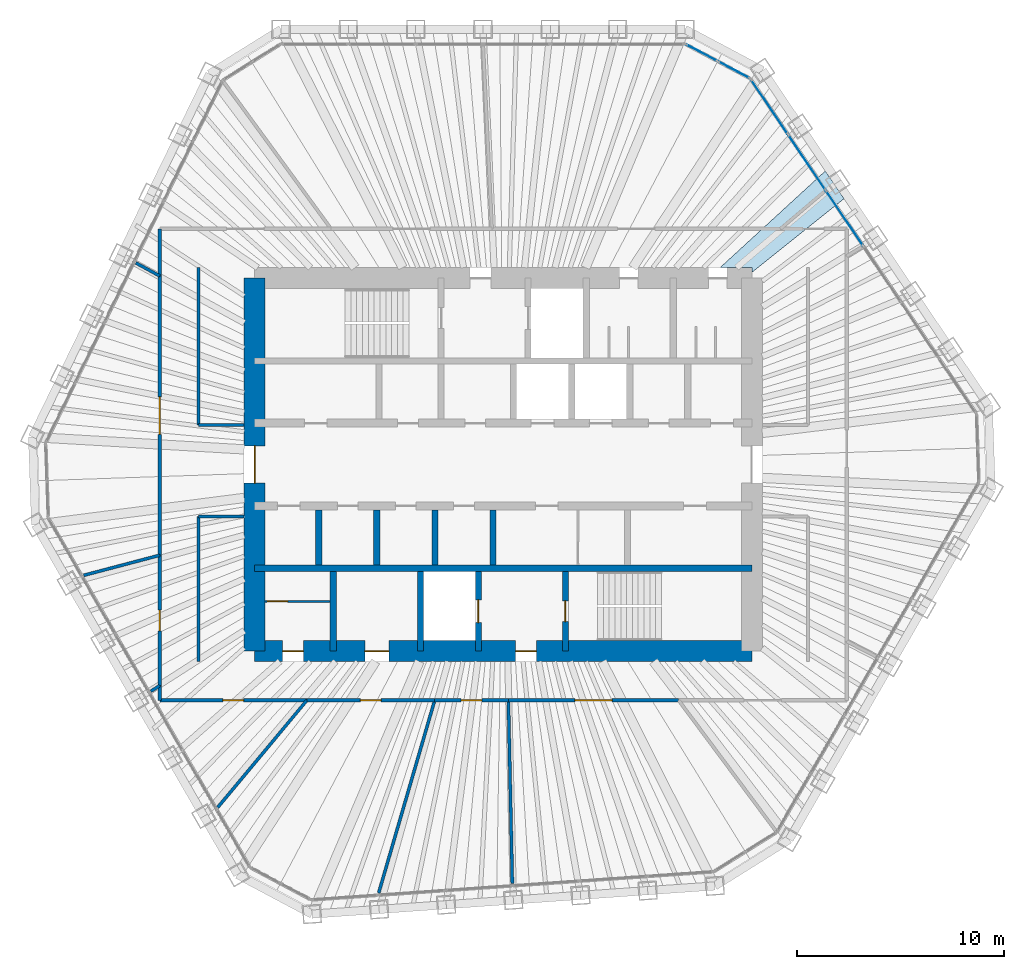
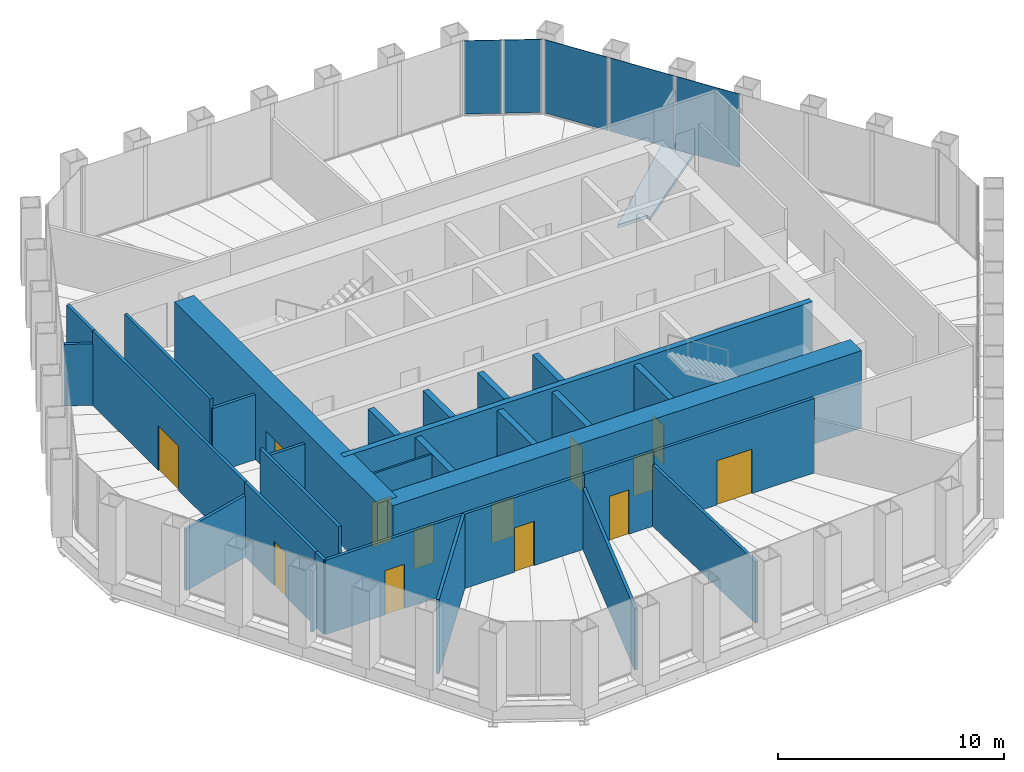
# One storey, part 11 of 14: 30 walls, 13 doors, 5 plates, 1 slab, 13 openings, 2 elements without a shape of their own.
"""IFC4 building model written with IfcOpenShell, lengths in metres."""

from ifc_helpers import new_model, si_unit, direction, frame, frame_2d, origin, origin_2d, place, context, subcontext, project, spatial, polyline, rectangle, outline, extrude, material, layer, layer_set, type_object, element, fill, aggregate, save


model = new_model("IFC4")

# Units and contexts
model_context = context("Model", 3, precision=1e-05, world=origin(), true_north=direction((0.0, 1.0)))
body_context = subcontext(model_context, "Body", "Model", "MODEL_VIEW")
ifc_project = project(units=[si_unit("LENGTHUNIT", "METRE"), si_unit("AREAUNIT", "SQUARE_METRE"), si_unit("VOLUMEUNIT", "CUBIC_METRE"), si_unit("PLANEANGLEUNIT", "RADIAN"), si_unit("MASSUNIT", "GRAM", prefix="KILO")], contexts=[model_context])

# Site, building, storey
site_placement = place(None, origin())
site = spatial("IfcSite", under=ifc_project, at=site_placement, CompositionType="ELEMENT")
building_placement = place(site_placement, origin())
building = spatial("IfcBuilding", under=site, at=building_placement, Name="Qingtian Harvest Tower", CompositionType="ELEMENT")
storey_placement = place(building_placement, frame((0.0, 0.0, 291.39990234375)))
storey = spatial("IfcBuildingStorey", under=building, at=storey_placement, Name="L64", CompositionType="ELEMENT", Elevation=291.39990234375)

# Slab
ifc_material_1 = material(Name="Concrete fc' 35 MPa", Category="concrete")
ifc_layer_1 = layer(ifc_material_1, 0.169921875)
ifc_layer_set_1 = layer_set([ifc_layer_1], Name="Composite floor slab FS17 170")
slab_type = type_object("IfcSlabType", Name="Composite floor slab FS17 170", PredefinedType="FLOOR", material=ifc_layer_set_1)
slab_placement = place(storey_placement, frame((0.0, 0.0, -0.169921875)))
element("IfcSlab", 1, at=slab_placement, inside=storey, type_object=slab_type, Name="Floor slab L64 panel D48", PredefinedType="FLOOR", context=body_context, shape_type="SweptSolid", body=[
    extrude(outline(polyline([(12.0, 9.5), (10.4599609375, 9.5), (15.541259765625, 14.16455078125), (16.44189453125, 12.829345703125), (12.0, 9.2734375), (12.0, 9.5)])), origin(), (0.0, 0.0, 1.0), 0.169921875),
])

# Curtain wall, plates
ifc_material_2 = material(Name="Bronze-anodised aluminium curtain wall", Category="aluminium")
curtain_wall_type = type_object("IfcCurtainWallType", Name="Curtain wall CW5 upper office", PredefinedType="USERDEFINED", material=ifc_material_2)
curtain_wall_1_placement = place(storey_placement, origin())
curtain_wall_1 = element("IfcCurtainWall", 2, at=curtain_wall_1_placement, inside=storey, type_object=curtain_wall_type, Name="Curtain wall CW5 L64 NC", ObjectType="RECESSED CURTAIN WALL", PredefinedType="USERDEFINED")
ifc_material_3 = material(Name="Bronze-tinted laminated insulating glass", Category="glass")
ifc_layer_2 = layer(ifc_material_3, 0.030029296875)
ifc_layer_set_2 = layer_set([ifc_layer_2], Name="Glazed panel CWP tinted IGU")
plate_type = type_object("IfcPlateType", Name="Glazed panel CWP tinted IGU", PredefinedType="CURTAIN_PANEL", material=ifc_layer_set_2)
plate_1_placement = place(storey_placement, frame((9.57080078125, 19.8720703125, 0.06494140625), z_axis=(0.0, 0.0, 1.0), x_axis=(0.882947592859, -0.469471562786, 0.0)))
plate_1 = element("IfcPlate", 3, at=plate_1_placement, type_object=plate_type, Name="CW5 panel 1.1", PredefinedType="CURTAIN_PANEL", context=body_context, shape_type="SweptSolid", body=[
    extrude(rectangle(XDim=1.69287109375, YDim=0.030029296875, at=origin_2d()), origin(), (0.0, 0.0, 1.0), 3.965087890625),
])
plate_2_placement = place(storey_placement, frame((11.122802734375, 19.046875, 0.06494140625), z_axis=(0.0, 0.0, 1.0), x_axis=(0.882947592859, -0.469471562786, 0.0)))
plate_2 = element("IfcPlate", 4, at=plate_2_placement, type_object=plate_type, Name="CW5 panel 2.1", PredefinedType="CURTAIN_PANEL", context=body_context, shape_type="SweptSolid", body=[
    extrude(rectangle(XDim=1.69287109375, YDim=0.030029296875, at=origin_2d()), origin(), (0.0, 0.0, 1.0), 3.965087890625),
])
aggregate(curtain_wall_1, [plate_1, plate_2])

curtain_wall_2_placement = place(storey_placement, origin())
curtain_wall_2 = element("IfcCurtainWall", 5, at=curtain_wall_2_placement, inside=storey, type_object=curtain_wall_type, Name="Curtain wall CW5 L64 NE0-5", ObjectType="RECESSED CURTAIN WALL", PredefinedType="USERDEFINED")
plate_3_placement = place(storey_placement, frame((12.844970703125, 17.259033203125, 0.06494140625), z_axis=(0.0, 0.0, 1.0), x_axis=(0.559192903471, -0.829037572555, 0.0)))
plate_3 = element("IfcPlate", 6, at=plate_3_placement, type_object=plate_type, Name="CW5 panel 1.1", PredefinedType="CURTAIN_PANEL", context=body_context, shape_type="SweptSolid", body=[
    extrude(rectangle(XDim=3.150634765625, YDim=0.030029296875, at=origin_2d()), origin(), (0.0, 0.0, 1.0), 3.965087890625),
])
plate_4_placement = place(storey_placement, frame((14.652099609375, 14.579833984375, 0.06494140625), z_axis=(0.0, 0.0, 1.0), x_axis=(0.559192903471, -0.829037572555, 0.0)))
plate_4 = element("IfcPlate", 7, at=plate_4_placement, type_object=plate_type, Name="CW5 panel 2.1", PredefinedType="CURTAIN_PANEL", context=body_context, shape_type="SweptSolid", body=[
    extrude(rectangle(XDim=3.18310546875, YDim=0.030029296875, at=origin_2d()), origin(), (0.0, 0.0, 1.0), 3.965087890625),
])
plate_5_placement = place(storey_placement, frame((16.46826171875, 11.886962890625, 0.06494140625), z_axis=(0.0, 0.0, 1.0), x_axis=(0.559192903471, -0.829037572555, 0.0)))
plate_5 = element("IfcPlate", 8, at=plate_5_placement, type_object=plate_type, Name="CW5 panel 3.1", PredefinedType="CURTAIN_PANEL", context=body_context, shape_type="SweptSolid", body=[
    extrude(rectangle(XDim=3.18310546875, YDim=0.030029296875, at=origin_2d()), origin(), (0.0, 0.0, 1.0), 3.965087890625),
])
aggregate(curtain_wall_2, [plate_3, plate_4, plate_5])

# Walls
ifc_material_4 = material(Name="Concrete fc' 70 MPa", Category="concrete")
ifc_layer_3 = layer(ifc_material_4, 0.300048828125)
ifc_layer_set_3 = layer_set([ifc_layer_3], Name="Core inner wall RC5 300")
wall_type_1 = type_object("IfcWallType", Name="Core inner wall RC5 300", PredefinedType="SHEAR", material=ifc_layer_set_3)
wall_1_placement = place(storey_placement, frame((-12.0, -5.0, 0.0), z_axis=(0.0, 0.0, 1.0), x_axis=(1.0, 0.0, 0.0)))
element("IfcWall", 9, at=wall_1_placement, inside=storey, type_object=wall_type_1, Name="Core wall IS5 L64", PredefinedType="SHEAR", context=body_context, shape_type="SweptSolid", body=[
    extrude(rectangle(XDim=24.0, YDim=0.300048828125, at=frame_2d((12.0, 0.0))), origin(), (0.0, 0.0, 1.0), 4.2001953125),
])
ifc_material_5 = material(Name="Precast concrete shaft panel", Category="concrete")
ifc_layer_4 = layer(ifc_material_5, 0.300048828125)
ifc_layer_set_4 = layer_set([ifc_layer_4], Name="Core shaft partition SW1 300")
wall_type_2 = type_object("IfcWallType", Name="Core shaft partition SW1 300", PredefinedType="PARTITIONING", material=ifc_layer_set_4)
for number, where, z_axis, x_axis, name in (
    (10, (-8.89990234375, -4.85009765625, 0.0), (0.0, 0.0, 1.0), (0.0, 1.0, 0.0), "Core shaft partition XB1 L64"),
    (11, (-6.10009765625, -4.85009765625, 0.0), (0.0, 0.0, 1.0), (0.0, 1.0, 0.0), "Core shaft partition XB2 L64"),
    (12, (-3.300048828125, -4.85009765625, 0.0), (0.0, 0.0, 1.0), (0.0, 1.0, 0.0), "Core shaft partition XB3 L64"),
    (13, (-0.5, -4.85009765625, 0.0), (0.0, 0.0, 1.0), (0.0, 1.0, 0.0), "Core shaft partition XB4 L64"),
):
    element("IfcWall", number, at=place(storey_placement, frame(where, z_axis=z_axis, x_axis=x_axis)), inside=storey, type_object=wall_type_2, Name=name, PredefinedType="PARTITIONING", context=body_context, shape_type="SweptSolid", body=[
        extrude(rectangle(XDim=2.650146484375, YDim=0.300048828125, at=frame_2d((1.3251953125, 0.0))), origin(), (0.0, 0.0, 1.0), 3.97998046875),
    ])
for number, where, z_axis, x_axis, name in (
    (14, (-8.199951171875, -9.0, 0.0), (0.0, 0.0, 1.0), (0.0, 1.0, 0.0), "Core shaft partition XS1 L64"),
    (15, (-4.0, -9.0, 0.0), (0.0, 0.0, 1.0), (0.0, 1.0, 0.0), "Core shaft partition XS2 L64"),
):
    element("IfcWall", number, at=place(storey_placement, frame(where, z_axis=z_axis, x_axis=x_axis)), inside=storey, type_object=wall_type_2, Name=name, PredefinedType="PARTITIONING", context=body_context, shape_type="SweptSolid", body=[
        extrude(rectangle(XDim=3.85009765625, YDim=0.300048828125, at=frame_2d((1.925048828125, 0.0))), origin(), (0.0, 0.0, 1.0), 3.97998046875),
    ])

# Wall, opening, door
wall_2_placement = place(storey_placement, frame((-1.199951171875, -9.0, 0.0), z_axis=(0.0, 0.0, 1.0), x_axis=(0.0, 1.0, 0.0)))
wall_2 = element("IfcWall", 16, at=wall_2_placement, inside=storey, type_object=wall_type_2, Name="Core shaft partition XS3 L64", PredefinedType="PARTITIONING", context=body_context, shape_type="SweptSolid", body=[
    extrude(rectangle(XDim=3.85009765625, YDim=0.300048828125, at=frame_2d((1.925048828125, 0.0))), origin(), (0.0, 0.0, 1.0), 3.97998046875),
])
opening_1_placement = place(wall_2_placement, frame((1.375, 0.0, 0.0)))
opening_1 = element("IfcOpeningElement", 17, at=opening_1_placement, cuts=wall_2, Name="Opening LD1", PredefinedType="OPENING", context=body_context, shape_type="SweptSolid", body=[
    extrude(rectangle(XDim=1.10009765625, YDim=2.39990234375, at=frame_2d((0.550048828125, 1.199951171875))), frame((0.0, 0.159912109375, 0.0), z_axis=(0.0, -1.0, 0.0), x_axis=(1.0, 0.0, 0.0)), (0.0, 0.0, 1.0), 0.320068359375),
])
ifc_material_6 = material(Name="Stainless steel lift landing door", Category="steel")
door_type_1 = type_object("IfcDoorType", Name="Lift landing door LD1 1 HR", OperationType="DOUBLE_DOOR_SLIDING", PredefinedType="DOOR", material=ifc_material_6)
door_1_placement = place(opening_1_placement, origin())
door_1 = element("IfcDoor", 18, at=door_1_placement, inside=storey, type_object=door_type_1, Name="FL2 landing door L64", OperationType="DOUBLE_DOOR_SLIDING", OverallHeight=2.39990234375, OverallWidth=1.10009765625, PredefinedType="DOOR", context=body_context, shape_type="SweptSolid", body=[
    extrude(rectangle(XDim=1.10009765625, YDim=2.39990234375, at=frame_2d((0.550048828125, 1.199951171875))), frame((0.0, 0.02490234375, 0.0), z_axis=(0.0, -1.0, 0.0), x_axis=(1.0, 0.0, 0.0)), (0.0, 0.0, 1.0), 0.050048828125),
])
fill(opening_1, door_1)

wall_3_placement = place(storey_placement, frame((3.0, -9.0, 0.0), z_axis=(0.0, 0.0, 1.0), x_axis=(0.0, 1.0, 0.0)))
wall_3 = element("IfcWall", 19, at=wall_3_placement, inside=storey, type_object=wall_type_2, Name="Core shaft partition XS4 L64", PredefinedType="PARTITIONING", context=body_context, shape_type="SweptSolid", body=[
    extrude(rectangle(XDim=3.85009765625, YDim=0.300048828125, at=frame_2d((1.925048828125, 0.0))), origin(), (0.0, 0.0, 1.0), 3.97998046875),
])
opening_2_placement = place(wall_3_placement, frame((1.425048828125, 0.0, 0.0)))
opening_2 = element("IfcOpeningElement", 20, at=opening_2_placement, cuts=wall_3, Name="Opening FD1", PredefinedType="OPENING", context=body_context, shape_type="SweptSolid", body=[
    extrude(rectangle(XDim=1.0, YDim=2.10009765625, at=frame_2d((0.5, 1.050048828125))), frame((0.0, 0.159912109375, 0.0), z_axis=(0.0, -1.0, 0.0), x_axis=(1.0, 0.0, 0.0)), (0.0, 0.0, 1.0), 0.320068359375),
])
ifc_material_7 = material(Name="Steel-faced door leaf", Category="steel")
door_type_2 = type_object("IfcDoorType", Name="Fire door FD1 single 1 HR", OperationType="SINGLE_SWING_LEFT", PredefinedType="DOOR", material=ifc_material_7)
door_2_placement = place(opening_2_placement, origin())
door_2 = element("IfcDoor", 21, at=door_2_placement, inside=storey, type_object=door_type_2, Name="S2 door L64", OperationType="SINGLE_SWING_RIGHT", OverallHeight=2.10009765625, OverallWidth=1.0, PredefinedType="DOOR", context=body_context, shape_type="SweptSolid", body=[
    extrude(rectangle(XDim=1.0, YDim=2.10009765625, at=frame_2d((0.5, 1.050048828125))), frame((0.0, 0.02490234375, 0.0), z_axis=(0.0, -1.0, 0.0), x_axis=(1.0, 0.0, 0.0)), (0.0, 0.0, 1.0), 0.050048828125),
])
fill(opening_2, door_2)

# Wall, openings, doors
ifc_material_8 = material(Name="Concrete fc' 70 MPa", Category="concrete")
ifc_layer_5 = layer(ifc_material_8, 1.0)
ifc_layer_set_5 = layer_set([ifc_layer_5], Name="Core wall RC3 1000")
wall_type_3 = type_object("IfcWallType", Name="Core wall RC3 1000", PredefinedType="SHEAR", material=ifc_layer_set_5)
wall_4_placement = place(storey_placement, frame((-12.0, -9.0, 0.0), z_axis=(0.0, 0.0, 1.0), x_axis=(1.0, 0.0, 0.0)))
wall_4 = element("IfcWall", 22, at=wall_4_placement, inside=storey, type_object=wall_type_3, Name="Core wall CS L64", PredefinedType="SHEAR", context=body_context, shape_type="SweptSolid", body=[
    extrude(rectangle(XDim=24.0, YDim=1.0, at=frame_2d((12.0, 0.0))), origin(), (0.0, 0.0, 1.0), 4.2001953125),
])
opening_3_placement = place(wall_4_placement, frame((1.35009765625, 0.0, 0.0)))
opening_3 = element("IfcOpeningElement", 23, at=opening_3_placement, cuts=wall_4, Name="Opening FD1", PredefinedType="OPENING", context=body_context, shape_type="SweptSolid", body=[
    extrude(rectangle(XDim=1.0, YDim=2.10009765625, at=frame_2d((0.5, 1.050048828125))), frame((0.0, 0.510009765625, 0.0), z_axis=(0.0, -1.0, 0.0), x_axis=(1.0, 0.0, 0.0)), (0.0, 0.0, 1.0), 1.02001953125),
])
opening_4_placement = place(wall_4_placement, frame((5.324951171875, 0.0, 0.0)))
opening_4 = element("IfcOpeningElement", 24, at=opening_4_placement, cuts=wall_4, Name="Opening AD1", PredefinedType="OPENING", context=body_context, shape_type="SweptSolid", body=[
    extrude(rectangle(XDim=1.14990234375, YDim=2.10009765625, at=frame_2d((0.574951171875, 1.050048828125))), frame((0.0, 0.510009765625, 0.0), z_axis=(0.0, -1.0, 0.0), x_axis=(1.0, 0.0, 0.0)), (0.0, 0.0, 1.0), 1.02001953125),
])
opening_5_placement = place(wall_4_placement, frame((12.60009765625, 0.0, 0.0)))
opening_5 = element("IfcOpeningElement", 25, at=opening_5_placement, cuts=wall_4, Name="Opening FD1", PredefinedType="OPENING", context=body_context, shape_type="SweptSolid", body=[
    extrude(rectangle(XDim=1.0, YDim=2.10009765625, at=frame_2d((0.5, 1.050048828125))), frame((0.0, 0.510009765625, 0.0), z_axis=(0.0, -1.0, 0.0), x_axis=(1.0, 0.0, 0.0)), (0.0, 0.0, 1.0), 1.02001953125),
])
ifc_material_9 = material(Name="Laminated timber door leaf", Category="wood")
door_type_3 = type_object("IfcDoorType", Name="Accessible WC door AD1 single", OperationType="SINGLE_SWING_LEFT", PredefinedType="DOOR", material=ifc_material_9)
door_3_placement = place(opening_4_placement, origin())
door_3 = element("IfcDoor", 26, at=door_3_placement, inside=storey, type_object=door_type_3, Name="AWC door L64", OperationType="SINGLE_SWING_LEFT", OverallHeight=2.10009765625, OverallWidth=1.14990234375, PredefinedType="DOOR", context=body_context, shape_type="SweptSolid", body=[
    extrude(rectangle(XDim=1.14990234375, YDim=2.10009765625, at=frame_2d((0.574951171875, 1.050048828125))), frame((0.0, 0.02490234375, 0.0), z_axis=(0.0, -1.0, 0.0), x_axis=(1.0, 0.0, 0.0)), (0.0, 0.0, 1.0), 0.050048828125),
])
fill(opening_4, door_3)
door_4_placement = place(opening_3_placement, origin())
door_4 = element("IfcDoor", 27, at=door_4_placement, inside=storey, type_object=door_type_2, Name="CLN door L64", OperationType="SINGLE_SWING_RIGHT", OverallHeight=2.10009765625, OverallWidth=1.0, PredefinedType="DOOR", context=body_context, shape_type="SweptSolid", body=[
    extrude(rectangle(XDim=1.0, YDim=2.10009765625, at=frame_2d((0.5, 1.050048828125))), frame((0.0, 0.02490234375, 0.0), z_axis=(0.0, -1.0, 0.0), x_axis=(1.0, 0.0, 0.0)), (0.0, 0.0, 1.0), 0.050048828125),
])
fill(opening_3, door_4)
door_5_placement = place(opening_5_placement, origin())
door_5 = element("IfcDoor", 28, at=door_5_placement, inside=storey, type_object=door_type_2, Name="V2 door L64", OperationType="SINGLE_SWING_LEFT", OverallHeight=2.10009765625, OverallWidth=1.0, PredefinedType="DOOR", context=body_context, shape_type="SweptSolid", body=[
    extrude(rectangle(XDim=1.0, YDim=2.10009765625, at=frame_2d((0.5, 1.050048828125))), frame((0.0, 0.02490234375, 0.0), z_axis=(0.0, -1.0, 0.0), x_axis=(1.0, 0.0, 0.0)), (0.0, 0.0, 1.0), 0.050048828125),
])
fill(opening_5, door_5)

# Wall, opening, door
wall_5_placement = place(storey_placement, frame((-12.0, -9.0, 0.0), z_axis=(0.0, 0.0, 1.0), x_axis=(0.0, 1.0, 0.0)))
wall_5 = element("IfcWall", 29, at=wall_5_placement, inside=storey, type_object=wall_type_3, Name="Core wall CW L64", PredefinedType="SHEAR", context=body_context, shape_type="SweptSolid", body=[
    extrude(rectangle(XDim=18.0, YDim=1.0, at=frame_2d((9.0, 0.0))), origin(), (0.0, 0.0, 1.0), 4.2001953125),
])
opening_6_placement = place(wall_5_placement, frame((8.10009765625, 0.0, 0.0)))
opening_6 = element("IfcOpeningElement", 30, at=opening_6_placement, cuts=wall_5, Name="Opening FD2", PredefinedType="OPENING", context=body_context, shape_type="SweptSolid", body=[
    extrude(rectangle(XDim=1.800048828125, YDim=2.10009765625, at=frame_2d((0.89990234375, 1.050048828125))), frame((0.0, 0.510009765625, 0.0), z_axis=(0.0, -1.0, 0.0), x_axis=(1.0, 0.0, 0.0)), (0.0, 0.0, 1.0), 1.02001953125),
])
ifc_material_10 = material(Name="Steel-faced door leaf", Category="steel")
door_type_4 = type_object("IfcDoorType", Name="Fire door FD2 double 1 HR", OperationType="DOUBLE_DOOR_DOUBLE_SWING", PredefinedType="DOOR", material=ifc_material_10)
door_6_placement = place(opening_6_placement, origin())
door_6 = element("IfcDoor", 31, at=door_6_placement, inside=storey, type_object=door_type_4, Name="LOBBY-W door L64", OperationType="DOUBLE_DOOR_DOUBLE_SWING", OverallHeight=2.10009765625, OverallWidth=1.800048828125, PredefinedType="DOOR", context=body_context, shape_type="SweptSolid", body=[
    extrude(rectangle(XDim=1.800048828125, YDim=2.10009765625, at=frame_2d((0.89990234375, 1.050048828125))), frame((0.0, 0.02490234375, 0.0), z_axis=(0.0, -1.0, 0.0), x_axis=(1.0, 0.0, 0.0)), (0.0, 0.0, 1.0), 0.050048828125),
])
fill(opening_6, door_6)

# Walls
ifc_material_11 = material(Name="Gypsum board on steel studs", Category="steel")
ifc_layer_6 = layer(ifc_material_11, 0.14990234375)
ifc_layer_set_6 = layer_set([ifc_layer_6], Name="Partition PT1 150")
wall_type_4 = type_object("IfcWallType", Name="Partition PT1 150", PredefinedType="PARTITIONING", material=ifc_layer_set_6)
wall_6_placement = place(storey_placement, frame((-17.72900390625, 9.72998046875, 0.0), z_axis=(0.0, 0.0, 1.0), x_axis=(0.87667364743, -0.481085559855, 0.0)))
element("IfcWall", 32, at=wall_6_placement, inside=storey, type_object=wall_type_4, Name="Workplace zone wall L64", PredefinedType="PARTITIONING", context=body_context, shape_type="SweptSolid", body=[
    extrude(rectangle(XDim=1.31640625, YDim=0.14990234375, at=frame_2d((0.658203125, 0.0))), origin(), (0.0, 0.0, 1.0), 3.330078125),
])
wall_7_placement = place(storey_placement, frame((-16.574951171875, 9.0966796875, 0.0), z_axis=(0.0, 0.0, 1.0), x_axis=(0.0, 1.0, 0.0)))
element("IfcWall", 33, at=wall_7_placement, inside=storey, type_object=wall_type_4, Name="Workplace zone wall L64", PredefinedType="PARTITIONING", context=body_context, shape_type="SweptSolid", body=[
    extrude(rectangle(XDim=2.2783203125, YDim=0.14990234375, at=frame_2d((1.13916015625, 0.0))), origin(), (0.0, 0.0, 1.0), 4.030029296875),
])

# Wall, opening, door
wall_8_placement = place(storey_placement, frame((8.46142578125, -11.375, 0.0), z_axis=(0.0, 0.0, 1.0), x_axis=(-1.0, 0.0, 0.0)))
wall_8 = element("IfcWall", 34, at=wall_8_placement, inside=storey, type_object=wall_type_4, Name="Workplace zone wall L64", PredefinedType="PARTITIONING", context=body_context, shape_type="SweptSolid", body=[
    extrude(rectangle(XDim=8.21484375, YDim=0.14990234375, at=frame_2d((4.107421875, 0.0))), origin(), (0.0, 0.0, 1.0), 4.030029296875),
])
opening_7_placement = place(wall_8_placement, frame((3.20751953125, 0.0, 0.0)))
opening_7 = element("IfcOpeningElement", 35, at=opening_7_placement, cuts=wall_8, Name="Opening D3", PredefinedType="OPENING", context=body_context, shape_type="SweptSolid", body=[
    extrude(rectangle(XDim=1.800048828125, YDim=2.39990234375, at=frame_2d((0.89990234375, 1.199951171875))), frame((0.0, 0.0849609375, 0.0), z_axis=(0.0, -1.0, 0.0), x_axis=(1.0, 0.0, 0.0)), (0.0, 0.0, 1.0), 0.169921875),
])
ifc_material_12 = material(Name="Laminated timber door leaf", Category="wood")
door_type_5 = type_object("IfcDoorType", Name="Room door D3 double", OperationType="DOUBLE_DOOR_DOUBLE_SWING", PredefinedType="DOOR", material=ifc_material_12)
door_7_placement = place(opening_7_placement, origin())
door_7 = element("IfcDoor", 36, at=door_7_placement, inside=storey, type_object=door_type_5, Name="Workplace zone door L64", OperationType="DOUBLE_DOOR_DOUBLE_SWING", OverallHeight=2.39990234375, OverallWidth=1.800048828125, PredefinedType="DOOR", context=body_context, shape_type="SweptSolid", body=[
    extrude(rectangle(XDim=1.800048828125, YDim=2.39990234375, at=frame_2d((0.89990234375, 1.199951171875))), frame((0.0, 0.02490234375, 0.0), z_axis=(0.0, -1.0, 0.0), x_axis=(1.0, 0.0, 0.0)), (0.0, 0.0, 1.0), 0.050048828125),
])
fill(opening_7, door_7)

# Wall
wall_9_placement = place(storey_placement, frame((0.43798828125, -20.21875, 0.0), z_axis=(0.0, 0.0, 1.0), x_axis=(-0.021638042243, 0.999765870156, 0.0)))
element("IfcWall", 37, at=wall_9_placement, inside=storey, type_object=wall_type_4, Name="Pantry wall L64", PredefinedType="PARTITIONING", context=body_context, shape_type="SweptSolid", body=[
    extrude(rectangle(XDim=8.845703125, YDim=0.14990234375, at=frame_2d((4.4228515625, 0.0))), origin(), (0.0, 0.0, 1.0), 3.330078125),
])

# Wall, opening, door
wall_10_placement = place(storey_placement, frame((0.24658203125, -11.375, 0.0), z_axis=(0.0, 0.0, 1.0), x_axis=(-1.0, 0.0, 0.0)))
wall_10 = element("IfcWall", 38, at=wall_10_placement, inside=storey, type_object=wall_type_4, Name="Pantry wall L64", PredefinedType="PARTITIONING", context=body_context, shape_type="SweptSolid", body=[
    extrude(rectangle(XDim=3.55419921875, YDim=0.14990234375, at=frame_2d((1.777099609375, 0.0))), origin(), (0.0, 0.0, 1.0), 4.030029296875),
])
opening_8_placement = place(wall_10_placement, frame((1.277099609375, 0.0, 0.0)))
opening_8 = element("IfcOpeningElement", 39, at=opening_8_placement, cuts=wall_10, Name="Opening D2", PredefinedType="OPENING", context=body_context, shape_type="SweptSolid", body=[
    extrude(rectangle(XDim=1.0, YDim=2.39990234375, at=frame_2d((0.5, 1.199951171875))), frame((0.0, 0.0849609375, 0.0), z_axis=(0.0, -1.0, 0.0), x_axis=(1.0, 0.0, 0.0)), (0.0, 0.0, 1.0), 0.169921875),
])
ifc_material_13 = material(Name="Laminated timber door leaf", Category="wood")
door_type_6 = type_object("IfcDoorType", Name="Room door D2 single", OperationType="SINGLE_SWING_LEFT", PredefinedType="DOOR", material=ifc_material_13)
door_8_placement = place(opening_8_placement, origin())
door_8 = element("IfcDoor", 40, at=door_8_placement, inside=storey, type_object=door_type_6, Name="Pantry door L64", OperationType="SINGLE_SWING_RIGHT", OverallHeight=2.39990234375, OverallWidth=1.0, PredefinedType="DOOR", context=body_context, shape_type="SweptSolid", body=[
    extrude(rectangle(XDim=1.0, YDim=2.39990234375, at=frame_2d((0.5, 1.199951171875))), frame((0.0, 0.02490234375, 0.0), z_axis=(0.0, -1.0, 0.0), x_axis=(1.0, 0.0, 0.0)), (0.0, 0.0, 1.0), 0.050048828125),
])
fill(opening_8, door_8)

# Wall
wall_11_placement = place(storey_placement, frame((-6.011962890625, -20.67578125, 0.0), z_axis=(0.0, 0.0, 1.0), x_axis=(0.279202358069, 0.960232286089, 0.0)))
element("IfcWall", 41, at=wall_11_placement, inside=storey, type_object=wall_type_4, Name="Focus room wall L64", PredefinedType="PARTITIONING", context=body_context, shape_type="SweptSolid", body=[
    extrude(rectangle(XDim=9.68603515625, YDim=0.14990234375, at=frame_2d((4.843017578125, 0.0))), origin(), (0.0, 0.0, 1.0), 3.330078125),
])

# Wall, opening, door
wall_12_placement = place(storey_placement, frame((-3.3076171875, -11.375, 0.0), z_axis=(0.0, 0.0, 1.0), x_axis=(-1.0, 0.0, 0.0)))
wall_12 = element("IfcWall", 42, at=wall_12_placement, inside=storey, type_object=wall_type_4, Name="Focus room wall L64", PredefinedType="PARTITIONING", context=body_context, shape_type="SweptSolid", body=[
    extrude(rectangle(XDim=6.165283203125, YDim=0.14990234375, at=frame_2d((3.08251953125, 0.0))), origin(), (0.0, 0.0, 1.0), 4.030029296875),
])
opening_9_placement = place(wall_12_placement, frame((2.582763671875, 0.0, 0.0)))
opening_9 = element("IfcOpeningElement", 43, at=opening_9_placement, cuts=wall_12, Name="Opening D2", PredefinedType="OPENING", context=body_context, shape_type="SweptSolid", body=[
    extrude(rectangle(XDim=1.0, YDim=2.39990234375, at=frame_2d((0.5, 1.199951171875))), frame((0.0, 0.0849609375, 0.0), z_axis=(0.0, -1.0, 0.0), x_axis=(1.0, 0.0, 0.0)), (0.0, 0.0, 1.0), 0.169921875),
])
door_9_placement = place(opening_9_placement, origin())
door_9 = element("IfcDoor", 44, at=door_9_placement, inside=storey, type_object=door_type_6, Name="Focus room door L64", OperationType="SINGLE_SWING_RIGHT", OverallHeight=2.39990234375, OverallWidth=1.0, PredefinedType="DOOR", context=body_context, shape_type="SweptSolid", body=[
    extrude(rectangle(XDim=1.0, YDim=2.39990234375, at=frame_2d((0.5, 1.199951171875))), frame((0.0, 0.02490234375, 0.0), z_axis=(0.0, -1.0, 0.0), x_axis=(1.0, 0.0, 0.0)), (0.0, 0.0, 1.0), 0.050048828125),
])
fill(opening_9, door_9)

# Wall
wall_13_placement = place(storey_placement, frame((-13.779296875, -16.546142578125, 0.0), z_axis=(0.0, 0.0, 1.0), x_axis=(0.63993100432, 0.768432371592, 0.0)))
element("IfcWall", 45, at=wall_13_placement, inside=storey, type_object=wall_type_4, Name="Print room wall L64", PredefinedType="PARTITIONING", context=body_context, shape_type="SweptSolid", body=[
    extrude(rectangle(XDim=6.7294921875, YDim=0.14990234375, at=frame_2d((3.36474609375, 0.0))), origin(), (0.0, 0.0, 1.0), 4.030029296875),
])

# Wall, opening, door
wall_14_placement = place(storey_placement, frame((-9.472900390625, -11.375, 0.0), z_axis=(0.0, 0.0, 1.0), x_axis=(-1.0, 0.0, 0.0)))
wall_14 = element("IfcWall", 46, at=wall_14_placement, inside=storey, type_object=wall_type_4, Name="Print room wall L64", PredefinedType="PARTITIONING", context=body_context, shape_type="SweptSolid", body=[
    extrude(rectangle(XDim=7.10205078125, YDim=0.14990234375, at=frame_2d((3.551025390625, 0.0))), origin(), (0.0, 0.0, 1.0), 4.030029296875),
])
opening_10_placement = place(wall_14_placement, frame((3.051025390625, 0.0, 0.0)))
opening_10 = element("IfcOpeningElement", 47, at=opening_10_placement, cuts=wall_14, Name="Opening D2", PredefinedType="OPENING", context=body_context, shape_type="SweptSolid", body=[
    extrude(rectangle(XDim=1.0, YDim=2.39990234375, at=frame_2d((0.5, 1.199951171875))), frame((0.0, 0.0849609375, 0.0), z_axis=(0.0, -1.0, 0.0), x_axis=(1.0, 0.0, 0.0)), (0.0, 0.0, 1.0), 0.169921875),
])
door_10_placement = place(opening_10_placement, origin())
door_10 = element("IfcDoor", 48, at=door_10_placement, inside=storey, type_object=door_type_6, Name="Print room door L64", OperationType="SINGLE_SWING_RIGHT", OverallHeight=2.39990234375, OverallWidth=1.0, PredefinedType="DOOR", context=body_context, shape_type="SweptSolid", body=[
    extrude(rectangle(XDim=1.0, YDim=2.39990234375, at=frame_2d((0.5, 1.199951171875))), frame((0.0, 0.02490234375, 0.0), z_axis=(0.0, -1.0, 0.0), x_axis=(1.0, 0.0, 0.0)), (0.0, 0.0, 1.0), 0.050048828125),
])
fill(opening_10, door_10)

# Walls
wall_15_placement = place(storey_placement, frame((-16.574951171875, -11.375, 0.0), z_axis=(0.0, 0.0, 1.0), x_axis=(0.0, 1.0, 0.0)))
element("IfcWall", 49, at=wall_15_placement, inside=storey, type_object=wall_type_4, Name="Print room wall L64", PredefinedType="PARTITIONING", context=body_context, shape_type="SweptSolid", body=[
    extrude(rectangle(XDim=0.7099609375, YDim=0.14990234375, at=frame_2d((0.35498046875, 0.0))), origin(), (0.0, 0.0, 1.0), 4.030029296875),
])
wall_16_placement = place(storey_placement, frame((-17.007080078125, -10.943115234375, 0.0), z_axis=(0.0, 0.0, 1.0), x_axis=(0.840931402951, 0.541141733311, 0.0)))
element("IfcWall", 50, at=wall_16_placement, inside=storey, type_object=wall_type_4, Name="Meeting room wall L64", PredefinedType="PARTITIONING", context=body_context, shape_type="SweptSolid", body=[
    extrude(rectangle(XDim=0.513916015625, YDim=0.14990234375, at=frame_2d((0.2568359375, 0.0))), origin(), (0.0, 0.0, 1.0), 3.330078125),
])

# Wall, opening, door
wall_17_placement = place(storey_placement, frame((-16.574951171875, -10.6650390625, 0.0), z_axis=(0.0, 0.0, 1.0), x_axis=(0.0, 1.0, 0.0)))
wall_17 = element("IfcWall", 51, at=wall_17_placement, inside=storey, type_object=wall_type_4, Name="Meeting room wall L64", PredefinedType="PARTITIONING", context=body_context, shape_type="SweptSolid", body=[
    extrude(rectangle(XDim=6.287841796875, YDim=0.14990234375, at=frame_2d((3.14404296875, 0.0))), origin(), (0.0, 0.0, 1.0), 4.030029296875),
])
opening_11_placement = place(wall_17_placement, frame((2.643798828125, 0.0, 0.0)))
opening_11 = element("IfcOpeningElement", 52, at=opening_11_placement, cuts=wall_17, Name="Opening D2", PredefinedType="OPENING", context=body_context, shape_type="SweptSolid", body=[
    extrude(rectangle(XDim=1.0, YDim=2.39990234375, at=frame_2d((0.5, 1.199951171875))), frame((0.0, 0.0849609375, 0.0), z_axis=(0.0, -1.0, 0.0), x_axis=(1.0, 0.0, 0.0)), (0.0, 0.0, 1.0), 0.169921875),
])
door_11_placement = place(opening_11_placement, origin())
door_11 = element("IfcDoor", 53, at=door_11_placement, inside=storey, type_object=door_type_6, Name="Meeting room door L64", OperationType="SINGLE_SWING_RIGHT", OverallHeight=2.39990234375, OverallWidth=1.0, PredefinedType="DOOR", context=body_context, shape_type="SweptSolid", body=[
    extrude(rectangle(XDim=1.0, YDim=2.39990234375, at=frame_2d((0.5, 1.199951171875))), frame((0.0, 0.02490234375, 0.0), z_axis=(0.0, -1.0, 0.0), x_axis=(1.0, 0.0, 0.0)), (0.0, 0.0, 1.0), 0.050048828125),
])
fill(opening_11, door_11)

# Wall
wall_18_placement = place(storey_placement, frame((-20.24267578125, -5.345947265625, 0.0), z_axis=(0.0, 0.0, 1.0), x_axis=(0.966843218991, 0.255370691137, 0.0)))
element("IfcWall", 54, at=wall_18_placement, inside=storey, type_object=wall_type_4, Name="Workplace zone wall L64", PredefinedType="PARTITIONING", context=body_context, shape_type="SweptSolid", body=[
    extrude(rectangle(XDim=3.79345703125, YDim=0.14990234375, at=frame_2d((1.896728515625, 0.0))), origin(), (0.0, 0.0, 1.0), 3.330078125),
])

# Wall, opening, door
wall_19_placement = place(storey_placement, frame((-16.574951171875, -4.377197265625, 0.0), z_axis=(0.0, 0.0, 1.0), x_axis=(0.0, 1.0, 0.0)))
wall_19 = element("IfcWall", 55, at=wall_19_placement, inside=storey, type_object=wall_type_4, Name="Workplace zone wall L64", PredefinedType="PARTITIONING", context=body_context, shape_type="SweptSolid", body=[
    extrude(rectangle(XDim=13.473876953125, YDim=0.14990234375, at=frame_2d((6.73681640625, 0.0))), origin(), (0.0, 0.0, 1.0), 4.030029296875),
])
opening_12_placement = place(wall_19_placement, frame((5.8369140625, 0.0, 0.0)))
opening_12 = element("IfcOpeningElement", 56, at=opening_12_placement, cuts=wall_19, Name="Opening D3", PredefinedType="OPENING", context=body_context, shape_type="SweptSolid", body=[
    extrude(rectangle(XDim=1.800048828125, YDim=2.39990234375, at=frame_2d((0.89990234375, 1.199951171875))), frame((0.0, 0.0849609375, 0.0), z_axis=(0.0, -1.0, 0.0), x_axis=(1.0, 0.0, 0.0)), (0.0, 0.0, 1.0), 0.169921875),
])
door_12_placement = place(opening_12_placement, origin())
door_12 = element("IfcDoor", 57, at=door_12_placement, inside=storey, type_object=door_type_5, Name="Workplace zone door L64", OperationType="DOUBLE_DOOR_DOUBLE_SWING", OverallHeight=2.39990234375, OverallWidth=1.800048828125, PredefinedType="DOOR", context=body_context, shape_type="SweptSolid", body=[
    extrude(rectangle(XDim=1.800048828125, YDim=2.39990234375, at=frame_2d((0.89990234375, 1.199951171875))), frame((0.0, 0.02490234375, 0.0), z_axis=(0.0, -1.0, 0.0), x_axis=(1.0, 0.0, 0.0)), (0.0, 0.0, 1.0), 0.050048828125),
])
fill(opening_12, door_12)

# Walls
wall_20_placement = place(storey_placement, frame((-14.699951171875, 1.89990234375, 0.0), z_axis=(0.0, 0.0, 1.0), x_axis=(0.0, 1.0, 0.0)))
element("IfcWall", 58, at=wall_20_placement, inside=storey, type_object=wall_type_4, Name="Breakout space wall L64", PredefinedType="PARTITIONING", context=body_context, shape_type="SweptSolid", body=[
    extrude(rectangle(XDim=7.60009765625, YDim=0.14990234375, at=frame_2d((3.800048828125, 0.0))), origin(), (0.0, 0.0, 1.0), 4.030029296875),
])
wall_21_placement = place(storey_placement, frame((-12.5, 1.89990234375, 0.0), z_axis=(0.0, 0.0, 1.0), x_axis=(-1.0, 0.0, 0.0)))
element("IfcWall", 59, at=wall_21_placement, inside=storey, type_object=wall_type_4, Name="Breakout space wall L64", PredefinedType="PARTITIONING", context=body_context, shape_type="SweptSolid", body=[
    extrude(rectangle(XDim=2.199951171875, YDim=0.14990234375, at=frame_2d((1.10009765625, 0.0))), origin(), (0.0, 0.0, 1.0), 3.530029296875),
])
wall_22_placement = place(storey_placement, frame((-14.699951171875, -9.5, 0.0), z_axis=(0.0, 0.0, 1.0), x_axis=(0.0, 1.0, 0.0)))
element("IfcWall", 60, at=wall_22_placement, inside=storey, type_object=wall_type_4, Name="Reading area wall L64", PredefinedType="PARTITIONING", context=body_context, shape_type="SweptSolid", body=[
    extrude(rectangle(XDim=7.0, YDim=0.14990234375, at=frame_2d((3.5, 0.0))), origin(), (0.0, 0.0, 1.0), 4.030029296875),
])
wall_23_placement = place(storey_placement, frame((-12.5, -2.5, 0.0), z_axis=(0.0, 0.0, 1.0), x_axis=(-1.0, 0.0, 0.0)))
element("IfcWall", 61, at=wall_23_placement, inside=storey, type_object=wall_type_4, Name="Reading area wall L64", PredefinedType="PARTITIONING", context=body_context, shape_type="SweptSolid", body=[
    extrude(rectangle(XDim=2.199951171875, YDim=0.14990234375, at=frame_2d((1.10009765625, 0.0))), origin(), (0.0, 0.0, 1.0), 3.530029296875),
])

# Wall, opening, door
ifc_material_14 = material(Name="Concrete block partition", Category="concrete")
ifc_layer_7 = layer(ifc_material_14, 0.10009765625)
ifc_layer_set_7 = layer_set([ifc_layer_7], Name="Store partition PT3 100")
wall_type_5 = type_object("IfcWallType", Name="Store partition PT3 100", PredefinedType="PARTITIONING", material=ifc_layer_set_7)
wall_24_placement = place(storey_placement, frame((-11.5, -6.60009765625, 0.0), z_axis=(0.0, 0.0, 1.0), x_axis=(1.0, 0.0, 0.0)))
wall_24 = element("IfcWall", 62, at=wall_24_placement, inside=storey, type_object=wall_type_5, Name="Waste store wall L64", PredefinedType="PARTITIONING", context=body_context, shape_type="SweptSolid", body=[
    extrude(rectangle(XDim=3.14990234375, YDim=0.10009765625, at=frame_2d((1.574951171875, 0.0))), origin(), (0.0, 0.0, 1.0), 3.97998046875),
])
opening_13_placement = place(wall_24_placement, frame((0.10009765625, 0.0, 0.0)))
opening_13 = element("IfcOpeningElement", 63, at=opening_13_placement, cuts=wall_24, Name="Opening D2", PredefinedType="OPENING", context=body_context, shape_type="SweptSolid", body=[
    extrude(rectangle(XDim=1.0, YDim=2.39990234375, at=frame_2d((0.5, 1.199951171875))), frame((0.0, 0.06005859375, 0.0), z_axis=(0.0, -1.0, 0.0), x_axis=(1.0, 0.0, 0.0)), (0.0, 0.0, 1.0), 0.1201171875),
])
door_13_placement = place(opening_13_placement, origin())
door_13 = element("IfcDoor", 64, at=door_13_placement, inside=storey, type_object=door_type_6, Name="Waste store door L64", OperationType="SINGLE_SWING_RIGHT", OverallHeight=2.39990234375, OverallWidth=1.0, PredefinedType="DOOR", context=body_context, shape_type="SweptSolid", body=[
    extrude(rectangle(XDim=1.0, YDim=2.39990234375, at=frame_2d((0.5, 1.199951171875))), frame((0.0, 0.02490234375, 0.0), z_axis=(0.0, -1.0, 0.0), x_axis=(1.0, 0.0, 0.0)), (0.0, 0.0, 1.0), 0.050048828125),
])
fill(opening_13, door_13)

save(model, "model.ifc")
